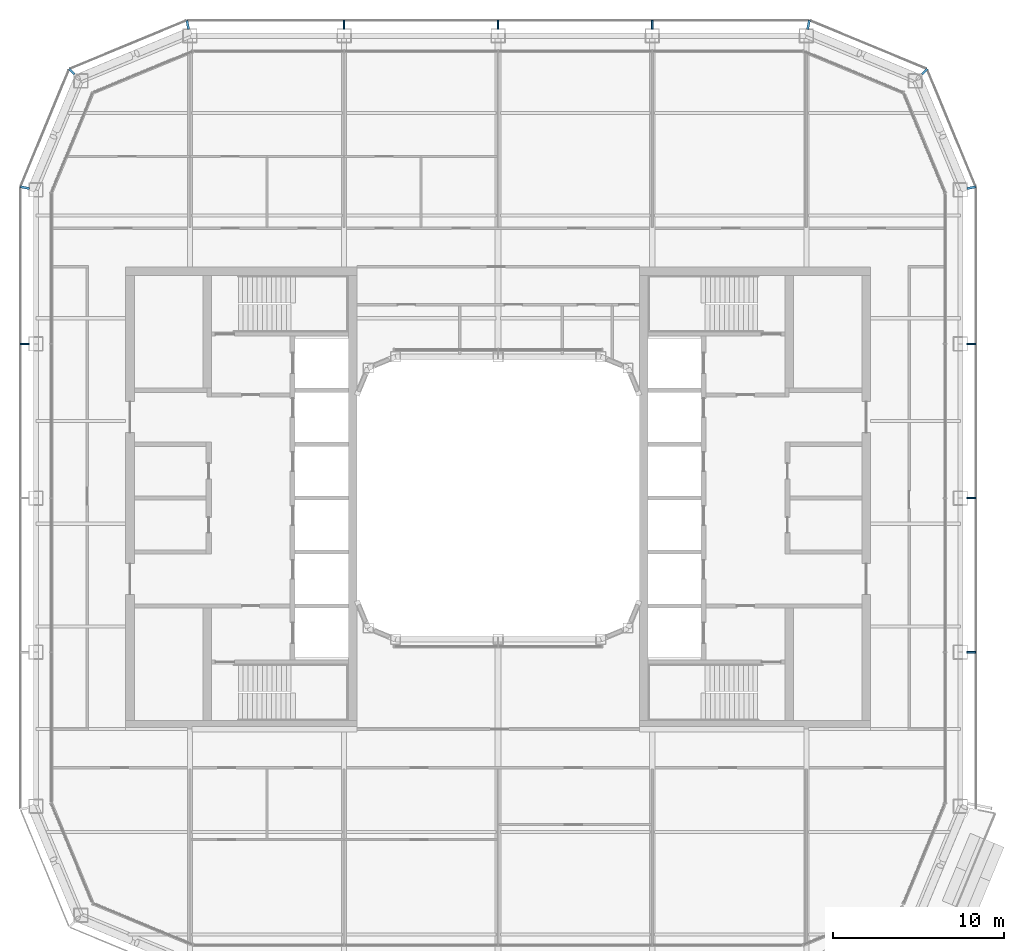
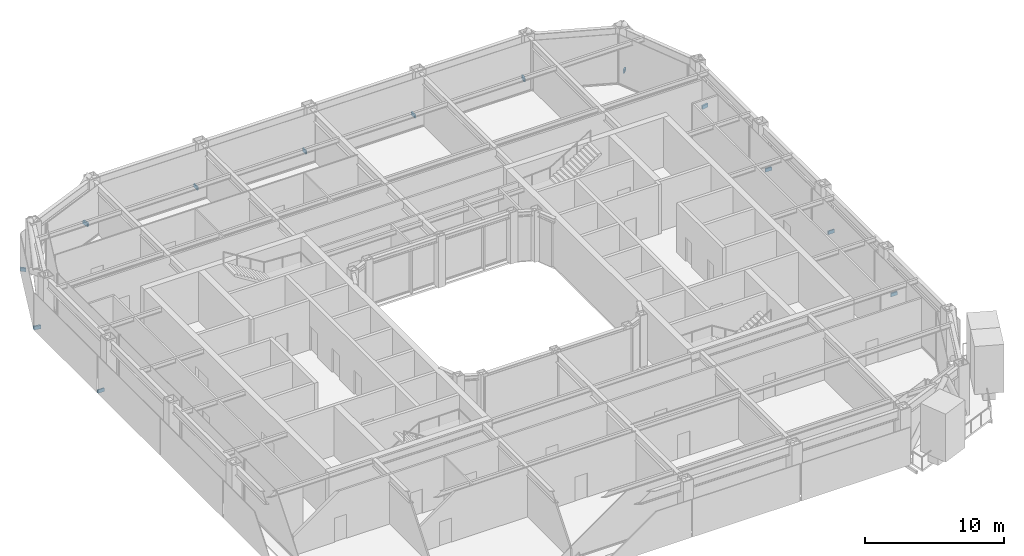
# One storey, part 17 of 22: 13 discrete accessories.
"""IFC4 building model written with IfcOpenShell, lengths in metres."""

from ifc_helpers import new_model, si_unit, direction, frame, origin, origin_2d, place, context, subcontext, project, spatial, rectangle, extrude, material, type_object, element, save


model = new_model("IFC4")

# Units and contexts
model_context = context("Model", 3, precision=1e-05, world=origin(), true_north=direction((0.0, 1.0)))
body_context = subcontext(model_context, "Body", "Model", "MODEL_VIEW")
ifc_project = project(units=[si_unit("LENGTHUNIT", "METRE"), si_unit("AREAUNIT", "SQUARE_METRE"), si_unit("VOLUMEUNIT", "CUBIC_METRE"), si_unit("PLANEANGLEUNIT", "RADIAN"), si_unit("MASSUNIT", "GRAM", prefix="KILO")], contexts=[model_context])

# Site, building, storey
site_placement = place(None, origin())
site = spatial("IfcSite", under=ifc_project, at=site_placement, CompositionType="ELEMENT")
building_placement = place(site_placement, origin())
building = spatial("IfcBuilding", under=site, at=building_placement, Name="Siwar Civic Tower", CompositionType="ELEMENT")
storey_placement = place(building_placement, frame((0.0, 0.0, 219.699951171875)))
storey = spatial("IfcBuildingStorey", under=building, at=storey_placement, Name="L47", CompositionType="ELEMENT", Elevation=219.699951171875)

# Discrete accessories
ifc_material = material(Name="Stainless steel 316", Category="steel")
discrete_accessory_type = type_object("IfcDiscreteAccessoryType", Name="ENV-BRACKET", PredefinedType="BRACKET", material=ifc_material)
for number, where, z_axis, x_axis, name in (
    (1, (27.639892578125, -9.0, -0.14990234375), (0.0, 0.0, 1.0), (1.0, 0.0, 0.0), "Bracket outer skin joint E-01"),
    (2, (27.639892578125, 0.0, -0.14990234375), (0.0, 0.0, 1.0), (1.0, 0.0, 0.0), "Bracket outer skin joint E-02"),
    (3, (27.639892578125, 9.0, -0.14990234375), (0.0, 0.0, 1.0), (1.0, 0.0, 0.0), "Bracket outer skin joint E-03"),
    (4, (9.0, 27.639892578125, -0.14990234375), (0.0, 0.0, 1.0), (0.0, 1.0, 0.0), "Bracket outer skin joint N-01"),
    (5, (0.0, 27.639892578125, -0.14990234375), (0.0, 0.0, 1.0), (0.0, 1.0, 0.0), "Bracket outer skin joint N-02"),
    (6, (-9.0, 27.639892578125, -0.14990234375), (0.0, 0.0, 1.0), (0.0, 1.0, 0.0), "Bracket outer skin joint N-03"),
):
    element("IfcDiscreteAccessory", number, at=place(storey_placement, frame(where, z_axis=z_axis, x_axis=x_axis)), inside=storey, type_object=discrete_accessory_type, Name=name, PredefinedType="BRACKET", context=body_context, shape_type="SweptSolid", body=[
        extrude(rectangle(XDim=0.52001953125, YDim=0.10009765625, at=origin_2d()), origin(), (0.0, 0.0, 1.0), 0.300048828125),
    ])
discrete_accessory_1_placement = place(storey_placement, frame((27.64013671875, 18.12744140625, -0.14990234375), z_axis=(0.0, 0.0, 1.0), x_axis=(0.980785280403, 0.195090322016, 0.0)))
element("IfcDiscreteAccessory", 7, at=discrete_accessory_1_placement, inside=storey, type_object=discrete_accessory_type, Name="Bracket outer skin joint V04", PredefinedType="BRACKET", context=body_context, shape_type="SweptSolid", body=[
    extrude(rectangle(XDim=0.52978515625, YDim=0.13720703125, at=origin_2d()), origin(), (0.0, 0.0, 1.0), 0.300048828125),
])
discrete_accessory_2_placement = place(storey_placement, frame((24.9013671875, 24.9013671875, -0.14990234375), z_axis=(0.0, 0.0, 1.0), x_axis=(0.707106781187, 0.707106781187, 0.0)))
element("IfcDiscreteAccessory", 8, at=discrete_accessory_2_placement, inside=storey, type_object=discrete_accessory_type, Name="Bracket outer skin joint V05", PredefinedType="BRACKET", context=body_context, shape_type="SweptSolid", body=[
    extrude(rectangle(XDim=0.428466796875, YDim=0.12939453125, at=origin_2d()), origin(), (0.0, 0.0, 1.0), 0.300048828125),
])
for number, where, z_axis, x_axis, name in (
    (9, (18.12744140625, 27.64013671875, -0.14990234375), (0.0, 0.0, 1.0), (0.195090322016, 0.980785280403, 0.0), "Bracket outer skin joint V06"),
    (10, (-18.12744140625, 27.64013671875, -0.14990234375), (0.0, 0.0, 1.0), (-0.195090322016, 0.980785280403, 0.0), "Bracket outer skin joint V07"),
):
    element("IfcDiscreteAccessory", number, at=place(storey_placement, frame(where, z_axis=z_axis, x_axis=x_axis)), inside=storey, type_object=discrete_accessory_type, Name=name, PredefinedType="BRACKET", context=body_context, shape_type="SweptSolid", body=[
        extrude(rectangle(XDim=0.52978515625, YDim=0.13720703125, at=origin_2d()), origin(), (0.0, 0.0, 1.0), 0.300048828125),
    ])
discrete_accessory_3_placement = place(storey_placement, frame((-24.9013671875, 24.9013671875, -0.14990234375), z_axis=(0.0, 0.0, 1.0), x_axis=(-0.707106781187, 0.707106781187, 0.0)))
element("IfcDiscreteAccessory", 11, at=discrete_accessory_3_placement, inside=storey, type_object=discrete_accessory_type, Name="Bracket outer skin joint V08", PredefinedType="BRACKET", context=body_context, shape_type="SweptSolid", body=[
    extrude(rectangle(XDim=0.428466796875, YDim=0.12939453125, at=origin_2d()), origin(), (0.0, 0.0, 1.0), 0.300048828125),
])
discrete_accessory_4_placement = place(storey_placement, frame((-27.64013671875, 18.12744140625, -0.14990234375), z_axis=(0.0, 0.0, 1.0), x_axis=(-0.980785280403, 0.195090322016, 0.0)))
element("IfcDiscreteAccessory", 12, at=discrete_accessory_4_placement, inside=storey, type_object=discrete_accessory_type, Name="Bracket outer skin joint V09", PredefinedType="BRACKET", context=body_context, shape_type="SweptSolid", body=[
    extrude(rectangle(XDim=0.52978515625, YDim=0.13720703125, at=origin_2d()), origin(), (0.0, 0.0, 1.0), 0.300048828125),
])
discrete_accessory_5_placement = place(storey_placement, frame((-27.639892578125, 9.0, -0.14990234375), z_axis=(0.0, 0.0, 1.0), x_axis=(-1.0, 0.0, 0.0)))
element("IfcDiscreteAccessory", 13, at=discrete_accessory_5_placement, inside=storey, type_object=discrete_accessory_type, Name="Bracket outer skin joint W-01", PredefinedType="BRACKET", context=body_context, shape_type="SweptSolid", body=[
    extrude(rectangle(XDim=0.52001953125, YDim=0.10009765625, at=origin_2d()), origin(), (0.0, 0.0, 1.0), 0.300048828125),
])

save(model, "model.ifc")
